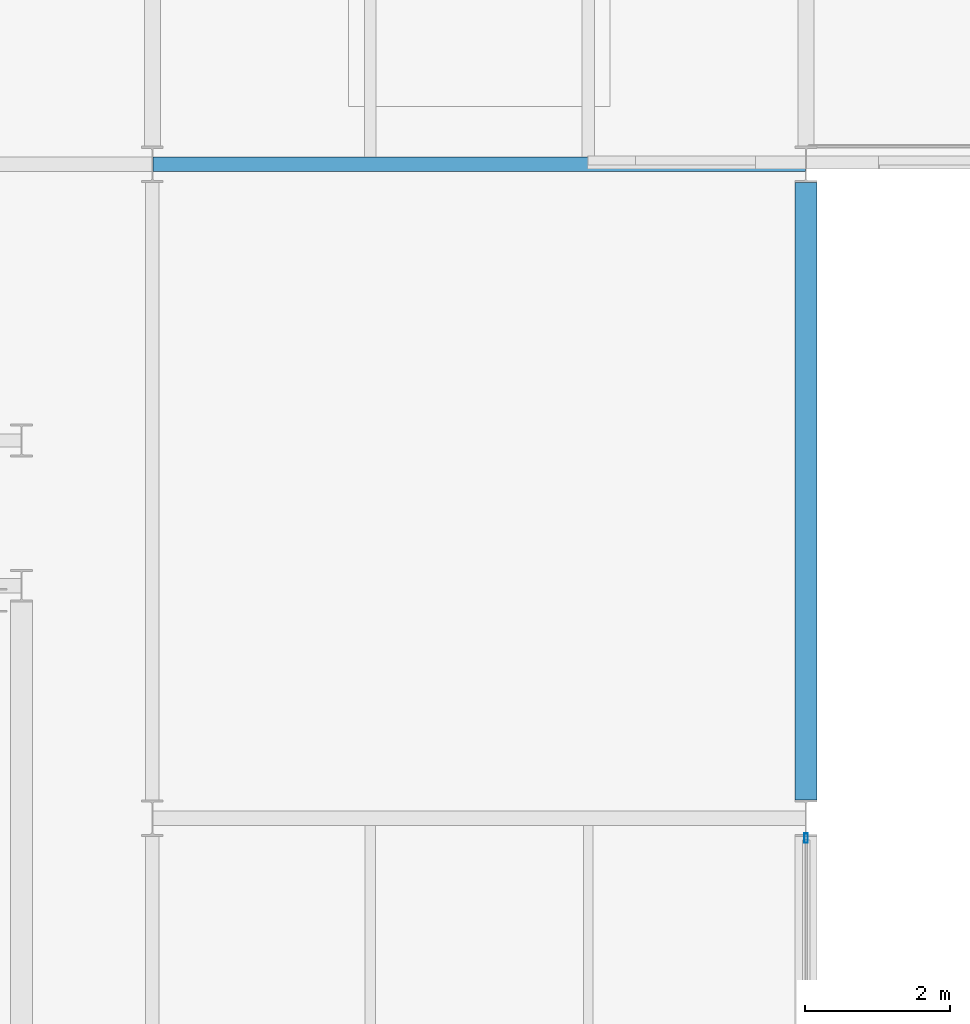
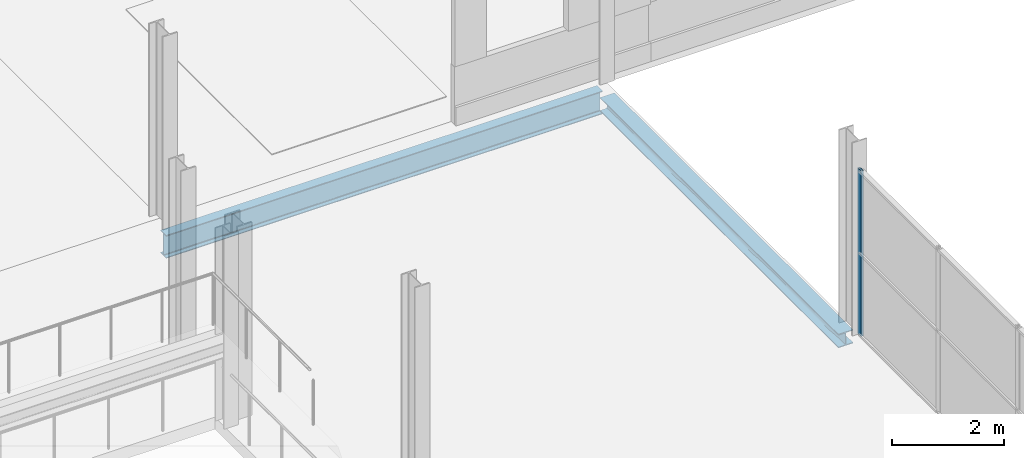
# One storey, part 40 of 103: 2 beams, 1 member, 1 element without a shape of its own.
"""IFC4 building model written with IfcOpenShell, lengths in metres."""

from ifc_helpers import new_model, si_unit, direction, frame, origin, origin_2d, place, context, subcontext, project, spatial, hollow_rectangle, i_section, extrude, material, layer, layer_set, material_profile, profile_set, type_object, element, aggregate, save


model = new_model("IFC4")

# Units and contexts
model_context = context("Model", 3, precision=1e-05, world=origin(), true_north=direction((0.0, 1.0)))
body_context = subcontext(model_context, "Body", "Model", "MODEL_VIEW")
ifc_project = project(units=[si_unit("LENGTHUNIT", "METRE"), si_unit("AREAUNIT", "SQUARE_METRE"), si_unit("VOLUMEUNIT", "CUBIC_METRE"), si_unit("PLANEANGLEUNIT", "RADIAN"), si_unit("MASSUNIT", "GRAM", prefix="KILO")], contexts=[model_context])

# Site, building, storey
site_placement = place(None, origin())
site = spatial("IfcSite", under=ifc_project, at=site_placement, CompositionType="ELEMENT")
building_placement = place(site_placement, origin())
building = spatial("IfcBuilding", under=site, at=building_placement, Name="Deido Ridge Mobility Hub", CompositionType="ELEMENT")
storey_placement = place(building_placement, frame((0.0, 0.0, 12.60009765625)))
storey = spatial("IfcBuildingStorey", under=building, at=storey_placement, Name="L03", CompositionType="ELEMENT", Elevation=12.60009765625)

# Beam
ifc_material_1 = material(Name="Steel S355J2 EN 10025-2", Category="steel")
ifc_material_profile_1 = material_profile(ifc_material_1, i_section(OverallWidth=0.199951171875, OverallDepth=0.5, WebThickness=0.01025390625, FlangeThickness=0.01611328125, FilletRadius=0.02099609375, at=origin_2d()), Name="IPE 500")
ifc_profile_set_1 = profile_set([ifc_material_profile_1], Name="Steel S355J2 EN 10025-2")
beam_type_1 = type_object("IfcBeamType", Name="BM-IPE500", PredefinedType="BEAM", material=ifc_profile_set_1)
beam_1_placement = place(storey_placement, frame((99.007080078125, 81.0, -0.51513671875), z_axis=(1.0, 0.0, 0.0), x_axis=(0.0, 1.0, 0.0)))
element("IfcBeam", 1, at=beam_1_placement, inside=storey, type_object=beam_type_1, Name="Floor beam B3", PredefinedType="BEAM", context=body_context, shape_type="SweptSolid", body=[
    extrude(i_section(OverallWidth=0.199951171875, OverallDepth=0.5, WebThickness=0.01025390625, FlangeThickness=0.01611328125, FilletRadius=0.02099609375, at=origin_2d()), origin(), (0.0, 0.0, 1.0), 8.98583984375),
])

# Curtain wall, member
ifc_material_2 = material(Name="Anodised aluminium EN AW-6063 T6", Category="aluminium")
ifc_layer = layer(ifc_material_2, 0.2548828125, Name="Anodised aluminium EN AW-6063 T6")
ifc_layer_set = layer_set([ifc_layer], Name="Anodised aluminium EN AW-6063 T6")
curtain_wall_type = type_object("IfcCurtainWallType", Name="CW-UF-7", PredefinedType="USERDEFINED", material=ifc_layer_set)
curtain_wall_placement = place(storey_placement, origin())
curtain_wall = element("IfcCurtainWall", 2, at=curtain_wall_placement, inside=storey, type_object=curtain_wall_type, Name="Unitised curtain wall CW7", ObjectType="UNITISED FACADE", PredefinedType="USERDEFINED")
ifc_material_profile_2 = material_profile(ifc_material_2, hollow_rectangle(XDim=0.050048828125, YDim=0.1298828125, WallThickness=0.00390625, at=origin_2d()), Name="RHS 50x130x4")
ifc_profile_set_2 = profile_set([ifc_material_profile_2], Name="Anodised aluminium EN AW-6063 T6")
member_type = type_object("IfcMemberType", Name="MEM-MUL-50X130", PredefinedType="MULLION", material=ifc_profile_set_2)
member_placement = place(storey_placement, frame((108.0, 71.72509765625, 0.0), z_axis=(0.0, 0.0, 1.0), x_axis=(-1.0, 0.0, 0.0)))
member = element("IfcMember", 3, at=member_placement, type_object=member_type, Name="CW7 mullion 4", PredefinedType="MULLION", context=body_context, shape_type="SweptSolid", body=[
    extrude(hollow_rectangle(XDim=0.050048828125, YDim=0.1298828125, WallThickness=0.00390625, at=origin_2d()), origin(), (0.0, 0.0, 1.0), 3.599853515625),
])
aggregate(curtain_wall, [member])

# Beam
ifc_material_profile_3 = material_profile(ifc_material_1, i_section(OverallWidth=0.300048828125, OverallDepth=0.300048828125, WebThickness=0.010986328125, FlangeThickness=0.01904296875, FilletRadius=0.027099609375, at=origin_2d()), Name="HEB 300")
ifc_profile_set_3 = profile_set([ifc_material_profile_3], Name="Steel S355J2 EN 10025-2")
beam_type_2 = type_object("IfcBeamType", Name="SPD-HEB300", PredefinedType="SPANDREL", material=ifc_profile_set_3)
beam_2_placement = place(storey_placement, frame((108.0, 72.25, -0.4150390625), z_axis=(0.0, 1.0, 0.0), x_axis=(-1.0, 0.0, 0.0)))
element("IfcBeam", 4, at=beam_2_placement, inside=storey, type_object=beam_type_2, Name="Floor beam SP1", PredefinedType="SPANDREL", context=body_context, shape_type="SweptSolid", body=[
    extrude(i_section(OverallWidth=0.300048828125, OverallDepth=0.300048828125, WebThickness=0.010986328125, FlangeThickness=0.01904296875, FilletRadius=0.027099609375, at=origin_2d()), origin(), (0.0, 0.0, 1.0), 8.5),
])

save(model, "model.ifc")
